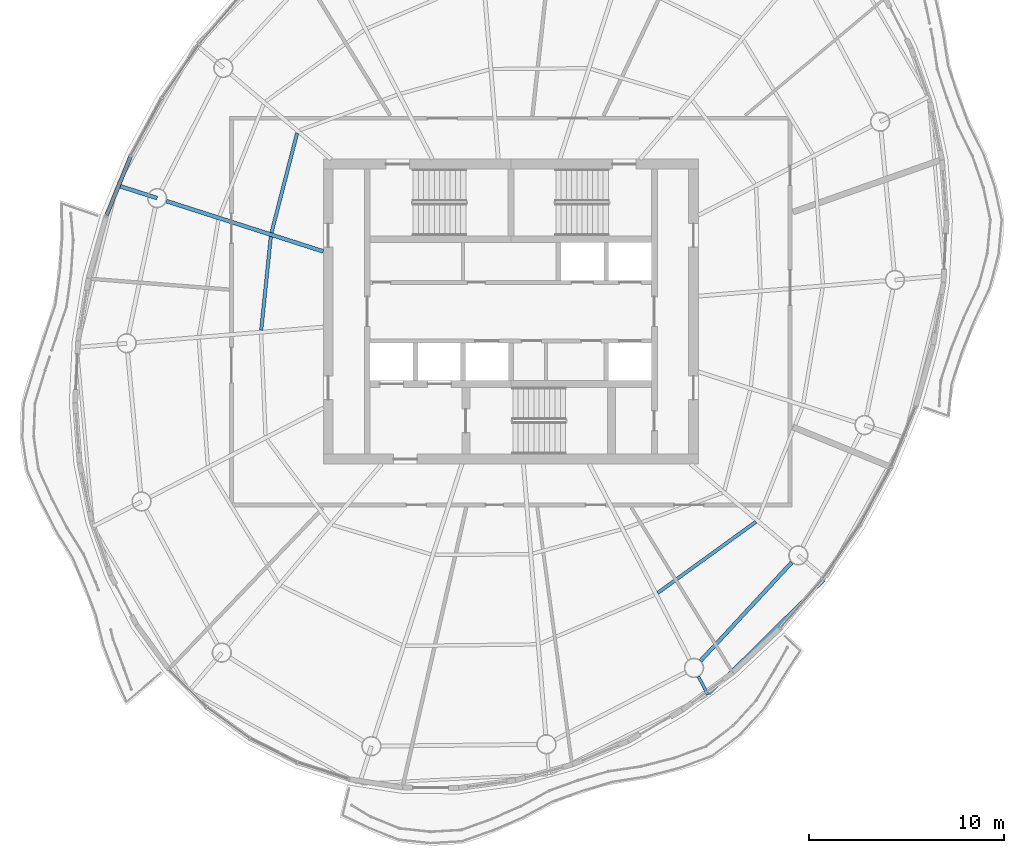
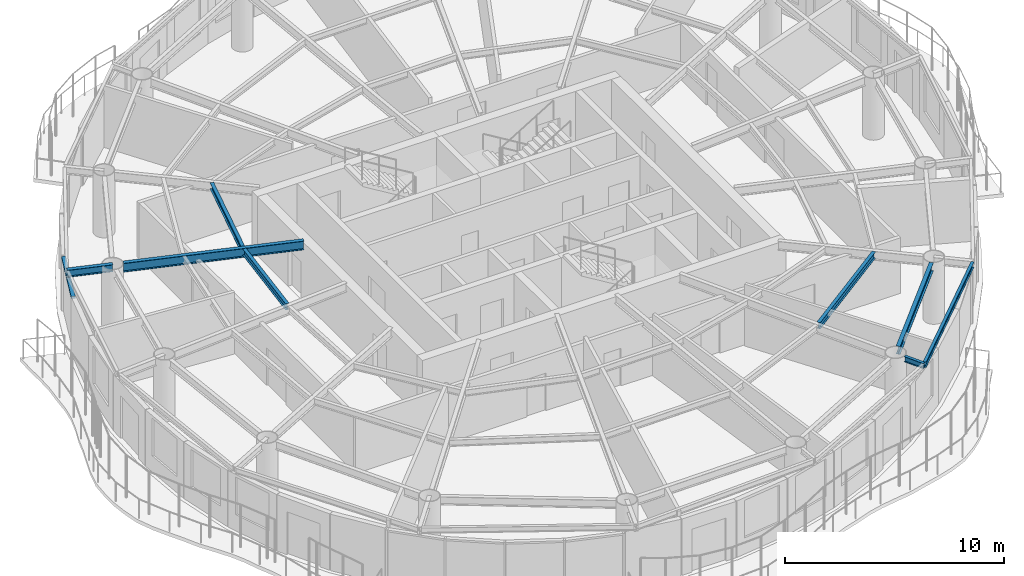
# One storey, part 3 of 14: 8 beams, 1 member, 1 element without a shape of its own.
"""IFC4 building model written with IfcOpenShell, lengths in metres."""

from ifc_helpers import new_model, si_unit, direction, frame, origin, origin_2d, place, context, subcontext, project, spatial, rectangle, i_section, extrude, material, material_profile, profile_set, type_object, element, aggregate, save


model = new_model("IFC4")

# Units and contexts
model_context = context("Model", 3, precision=1e-05, world=origin(), true_north=direction((0.0, 1.0)))
body_context = subcontext(model_context, "Body", "Model", "MODEL_VIEW")
ifc_project = project(units=[si_unit("LENGTHUNIT", "METRE"), si_unit("AREAUNIT", "SQUARE_METRE"), si_unit("VOLUMEUNIT", "CUBIC_METRE"), si_unit("PLANEANGLEUNIT", "RADIAN"), si_unit("MASSUNIT", "GRAM", prefix="KILO")], contexts=[model_context])

# Site, building, storey
site_placement = place(None, origin())
site = spatial("IfcSite", under=ifc_project, at=site_placement, CompositionType="ELEMENT")
building_placement = place(site_placement, origin())
building = spatial("IfcBuilding", under=site, at=building_placement, Name="Vermilion Reach Broadcast Tower", CompositionType="ELEMENT")
storey_placement = place(building_placement, frame((0.0, 0.0, 268.5)))
storey = spatial("IfcBuildingStorey", under=building, at=storey_placement, Name="L66", CompositionType="ELEMENT", Elevation=268.5)

# Beams
ifc_material_1 = material(Name="Steel S355J2", Category="steel")
ifc_material_profile_1 = material_profile(ifc_material_1, i_section(OverallWidth=0.14990234375, OverallDepth=0.300048828125, WebThickness=0.006591796875, FlangeThickness=0.009033203125, at=origin_2d()), Name="S355J2 HN 300x150x6.5x9")
ifc_profile_set_1 = profile_set([ifc_material_profile_1], Name="Steel S355J2")
beam_type_1 = type_object("IfcBeamType", Name="EB5 HN 300x150x6.5x9", PredefinedType="BEAM", material=ifc_profile_set_1)
beam_1_placement = place(storey_placement, frame((4.141357421875, -19.560546875, 3.300048828125), z_axis=(0.711230089376, 0.702959287559, 0.0), x_axis=(-0.702959287559, 0.711230089376, 0.0)))
element("IfcBeam", 1, at=beam_1_placement, inside=storey, type_object=beam_type_1, Name="Edge beam EB5-11", PredefinedType="BEAM", context=body_context, shape_type="SweptSolid", body=[
    extrude(i_section(OverallWidth=0.14990234375, OverallDepth=0.300048828125, WebThickness=0.006591796875, FlangeThickness=0.009033203125, at=origin_2d()), origin(), (0.0, 0.0, 1.0), 8.294677734375),
])
ifc_material_2 = material(Name="Steel S355J2", Category="steel")
ifc_material_profile_2 = material_profile(ifc_material_2, i_section(OverallWidth=0.199951171875, OverallDepth=0.5, WebThickness=0.010009765625, FlangeThickness=0.01611328125, at=origin_2d()), Name="S355J2 HN 500x200x10x16")
ifc_profile_set_2 = profile_set([ifc_material_profile_2], Name="Steel S355J2")
beam_type_2 = type_object("IfcBeamType", Name="G5 HN 500x200x10x16", PredefinedType="BEAM", material=ifc_profile_set_2)
beam_2_placement = place(storey_placement, frame((-15.60009765625, 3.080322265625, 3.199951171875), z_axis=(-0.952178453449, 0.305542456604, 0.0), x_axis=(-0.305542456604, -0.952178453449, 0.0)))
element("IfcBeam", 2, at=beam_2_placement, inside=storey, type_object=beam_type_2, Name="Girder G5-05", PredefinedType="BEAM", context=body_context, shape_type="SweptSolid", body=[
    extrude(i_section(OverallWidth=0.199951171875, OverallDepth=0.5, WebThickness=0.010009765625, FlangeThickness=0.01611328125, at=origin_2d()), origin(), (0.0, 0.0, 1.0), 8.43310546875),
])
ifc_material_3 = material(Name="Steel S355J2", Category="steel")
ifc_material_profile_3 = material_profile(ifc_material_3, i_section(OverallWidth=0.199951171875, OverallDepth=0.39990234375, WebThickness=0.008056640625, FlangeThickness=0.012939453125, at=origin_2d()), Name="S355J2 HN 400x200x8x13")
ifc_profile_set_3 = profile_set([ifc_material_profile_3], Name="Steel S355J2")
beam_type_3 = type_object("IfcBeamType", Name="GC5 HN 400x200x8x13", PredefinedType="BEAM", material=ifc_profile_set_3)
beam_3_placement = place(storey_placement, frame((-24.10595703125, 5.809814453125, 3.25), z_axis=(-0.952208444369, 0.305448978508, 0.0), x_axis=(-0.305448978508, -0.952208444369, 0.0)))
element("IfcBeam", 3, at=beam_3_placement, inside=storey, type_object=beam_type_3, Name="Cantilever girder GC5-05", PredefinedType="BEAM", context=body_context, shape_type="SweptSolid", body=[
    extrude(i_section(OverallWidth=0.199951171875, OverallDepth=0.39990234375, WebThickness=0.008056640625, FlangeThickness=0.012939453125, at=origin_2d()), origin(), (0.0, 0.0, 1.0), 2.14453125),
])
ifc_material_4 = material(Name="Steel S355J2", Category="steel")
ifc_material_profile_4 = material_profile(ifc_material_4, i_section(OverallWidth=0.14990234375, OverallDepth=0.300048828125, WebThickness=0.006591796875, FlangeThickness=0.009033203125, at=origin_2d()), Name="S355J2 HN 300x150x6.5x9")
ifc_profile_set_4 = profile_set([ifc_material_profile_4], Name="Steel S355J2")
beam_type_4 = type_object("IfcBeamType", Name="GS5 HN 300x150x6.5x9", PredefinedType="BEAM", material=ifc_profile_set_4)
beam_4_placement = place(storey_placement, frame((3.60546875, -18.682373046875, 3.300048828125), z_axis=(0.457232399451, -0.889347251017, 0.0), x_axis=(0.889347251017, 0.457232399451, 0.0)))
element("IfcBeam", 4, at=beam_4_placement, inside=storey, type_object=beam_type_4, Name="Cantilever stub GS5-11", PredefinedType="BEAM", context=body_context, shape_type="SweptSolid", body=[
    extrude(i_section(OverallWidth=0.14990234375, OverallDepth=0.300048828125, WebThickness=0.006591796875, FlangeThickness=0.009033203125, at=origin_2d()), origin(), (0.0, 0.0, 1.0), 1.0498046875),
])
ifc_material_5 = material(Name="Steel S355J2", Category="steel")
ifc_material_profile_5 = material_profile(ifc_material_5, i_section(OverallWidth=0.199951171875, OverallDepth=0.449951171875, WebThickness=0.009033203125, FlangeThickness=0.013916015625, at=origin_2d()), Name="S355J2 HN 450x200x9x14")
ifc_profile_set_5 = profile_set([ifc_material_profile_5], Name="Steel S355J2")
beam_type_5 = type_object("IfcBeamType", Name="RB5 HN 450x200x9x14", PredefinedType="BEAM", material=ifc_profile_set_5)
beam_5_placement = place(storey_placement, frame((3.716796875, -17.87109375, 3.22509765625), z_axis=(0.679837550075, 0.733362738014, 0.0), x_axis=(-0.733362738014, 0.679837550075, 0.0)))
element("IfcBeam", 5, at=beam_5_placement, inside=storey, type_object=beam_type_5, Name="Ring beam RB5-11", PredefinedType="BEAM", context=body_context, shape_type="SweptSolid", body=[
    extrude(i_section(OverallWidth=0.199951171875, OverallDepth=0.449951171875, WebThickness=0.009033203125, FlangeThickness=0.013916015625, at=origin_2d()), origin(), (0.0, 0.0, 1.0), 6.85546875),
])
ifc_material_6 = material(Name="Steel S355J2", Category="steel")
ifc_material_profile_6 = material_profile(ifc_material_6, i_section(OverallWidth=0.175048828125, OverallDepth=0.35009765625, WebThickness=0.007080078125, FlangeThickness=0.010986328125, at=origin_2d()), Name="S355J2 HN 350x175x7x11")
ifc_profile_set_6 = profile_set([ifc_material_profile_6], Name="Steel S355J2")
beam_type_6 = type_object("IfcBeamType", Name="SB5 HN 350x175x7x11", PredefinedType="BEAM", material=ifc_profile_set_6)
beam_6_placement = place(storey_placement, frame((-16.940185546875, 9.1435546875, 3.27490234375), z_axis=(-0.248729575729, -0.968572969971, 0.0), x_axis=(0.968572969971, -0.248729575729, 0.0)))
element("IfcBeam", 6, at=beam_6_placement, inside=storey, type_object=beam_type_6, Name="Secondary beam SB5-04-1", PredefinedType="BEAM", context=body_context, shape_type="SweptSolid", body=[
    extrude(i_section(OverallWidth=0.175048828125, OverallDepth=0.35009765625, WebThickness=0.007080078125, FlangeThickness=0.010986328125, at=origin_2d()), origin(), (0.0, 0.0, 1.0), 5.27294921875),
])
beam_7_placement = place(storey_placement, frame((-18.287109375, 3.837646484375, 3.27490234375), z_axis=(-0.102113775264, -0.994772726255, 0.0), x_axis=(0.994772726255, -0.102113775264, 0.0)))
element("IfcBeam", 7, at=beam_7_placement, inside=storey, type_object=beam_type_6, Name="Secondary beam SB5-05-1", PredefinedType="BEAM", context=body_context, shape_type="SweptSolid", body=[
    extrude(i_section(OverallWidth=0.175048828125, OverallDepth=0.35009765625, WebThickness=0.007080078125, FlangeThickness=0.010986328125, at=origin_2d()), origin(), (0.0, 0.0, 1.0), 4.815185546875),
])
beam_8_placement = place(storey_placement, frame((1.517578125, -14.402587890625, 3.27490234375), z_axis=(0.809771251518, 0.586745703192, 0.0), x_axis=(-0.586745703192, 0.809771251518, 0.0)))
element("IfcBeam", 8, at=beam_8_placement, inside=storey, type_object=beam_type_6, Name="Secondary beam SB5-11-2", PredefinedType="BEAM", context=body_context, shape_type="SweptSolid", body=[
    extrude(i_section(OverallWidth=0.175048828125, OverallDepth=0.35009765625, WebThickness=0.007080078125, FlangeThickness=0.010986328125, at=origin_2d()), origin(), (0.0, 0.0, 1.0), 6.20361328125),
])

# Curtain wall, member
ifc_material_7 = material(Name="Low-e laminated clear glass in aluminium frame", Category="aluminium")
curtain_wall_type = type_object("IfcCurtainWallType", Name="Slot curtain wall", PredefinedType="NOTDEFINED", material=ifc_material_7)
curtain_wall_placement = place(storey_placement, origin())
curtain_wall = element("IfcCurtainWall", 9, at=curtain_wall_placement, inside=storey, type_object=curtain_wall_type, Name="Slot curtain wall L66 13", PredefinedType="NOTDEFINED")
ifc_material_8 = material(Name="Anodised aluminium", Category="aluminium")
ifc_material_profile_7 = material_profile(ifc_material_8, rectangle(XDim=0.199951171875, YDim=0.10009765625, at=origin_2d()), Name="Slot transom 200 x 100")
ifc_profile_set_7 = profile_set([ifc_material_profile_7], Name="Anodised aluminium")
member_type = type_object("IfcMemberType", Name="Slot transom 200 x 100", PredefinedType="USERDEFINED", material=ifc_profile_set_7)
member_placement = place(storey_placement, frame((-25.4716796875, 7.930908203125, 3.0), z_axis=(-0.377549352116, -0.92598946361, 0.0), x_axis=(0.92598946361, -0.377549352116, 0.0)))
member = element("IfcMember", 10, at=member_placement, type_object=member_type, Name="Slot transom L66 13.1", ObjectType="TRANSOM", PredefinedType="USERDEFINED", context=body_context, shape_type="SweptSolid", body=[
    extrude(rectangle(XDim=0.199951171875, YDim=0.10009765625, at=origin_2d()), origin(), (0.0, 0.0, 1.0), 3.255859375),
])
aggregate(curtain_wall, [member])

save(model, "model.ifc")
